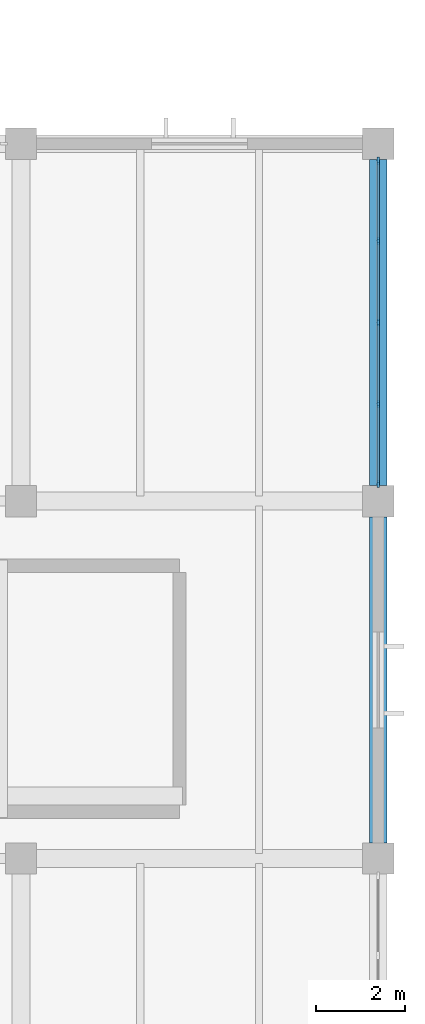
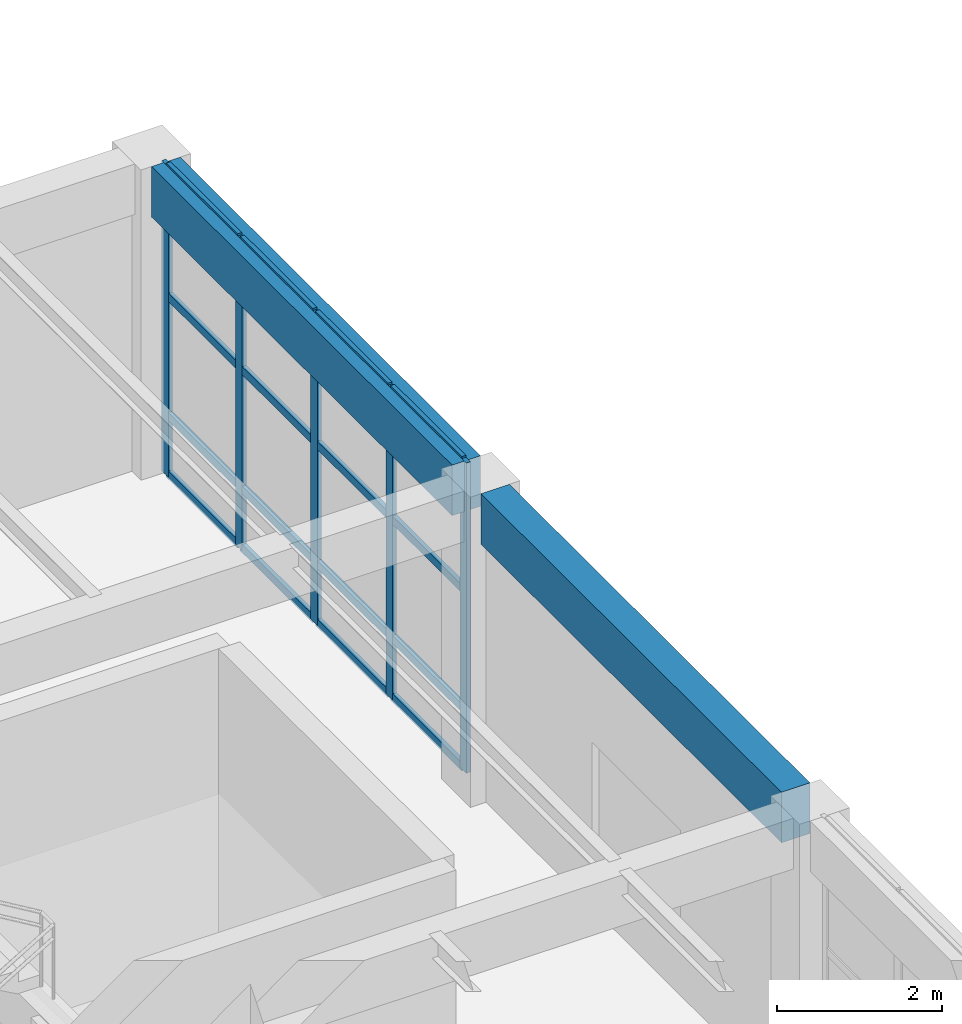
# One storey, part 31 of 60: 21 members, 2 beams, 1 element without a shape of its own.
"""IFC4 building model written with IfcOpenShell, lengths in metres."""

from ifc_helpers import new_model, si_unit, direction, frame, origin, origin_2d, place, context, subcontext, project, spatial, rectangle, extrude, material, layer, layer_set, material_profile, profile_set, type_object, element, aggregate, save


model = new_model("IFC4")

# Units and contexts
model_context = context("Model", 3, precision=1e-05, world=origin(), true_north=direction((0.0, 1.0)))
body_context = subcontext(model_context, "Body", "Model", "MODEL_VIEW")
ifc_project = project(units=[si_unit("LENGTHUNIT", "METRE"), si_unit("AREAUNIT", "SQUARE_METRE"), si_unit("VOLUMEUNIT", "CUBIC_METRE"), si_unit("PLANEANGLEUNIT", "RADIAN"), si_unit("MASSUNIT", "GRAM", prefix="KILO")], contexts=[model_context])

# Site, building, storey
site_placement = place(None, origin())
site = spatial("IfcSite", under=ifc_project, at=site_placement, CompositionType="ELEMENT")
building_placement = place(site_placement, origin())
building = spatial("IfcBuilding", under=site, at=building_placement, Name="Varnela Railside Interchange", CompositionType="ELEMENT")
storey_placement = place(building_placement, frame((0.0, 0.0, 6.300048828125)))
storey = spatial("IfcBuildingStorey", under=building, at=storey_placement, Name="L01", CompositionType="ELEMENT", Elevation=6.300048828125)

# Curtain wall, members
ifc_material_1 = material(Name="Aluminium 6063-T6", Category="aluminium")
ifc_layer = layer(ifc_material_1, 0.035888671875)
ifc_layer_set = layer_set([ifc_layer], Name="Aluminium 6063-T6")
curtain_wall_type = type_object("IfcCurtainWallType", Name="Study Pavilion Gallery Curtain Wall CW-02", PredefinedType="USERDEFINED", material=ifc_layer_set)
curtain_wall_placement = place(storey_placement, origin())
curtain_wall = element("IfcCurtainWall", 1, at=curtain_wall_placement, inside=storey, type_object=curtain_wall_type, Name="Curtain Wall CW-02 (L01) (CW-037)", ObjectType="CURTAIN WALL", PredefinedType="USERDEFINED")
ifc_material_profile_1 = material_profile(ifc_material_1, rectangle(XDim=0.06005859375, YDim=0.159912109375, at=origin_2d()), Name="ALU 60x160")
ifc_profile_set_1 = profile_set([ifc_material_profile_1], Name="Aluminium 6063-T6")
member_type_1 = type_object("IfcMemberType", Name="Curtain Wall Mullion ML-02", PredefinedType="MULLION", material=ifc_profile_set_1)
member_1_placement = place(storey_placement, frame((164.0, 61.6201171875, 0.0), z_axis=(0.0, 0.0, 1.0), x_axis=(1.0, 0.0, 0.0)))
member_1 = element("IfcMember", 2, at=member_1_placement, type_object=member_type_1, Name="CW-02 mullion 1", PredefinedType="MULLION", context=body_context, shape_type="SweptSolid", body=[
    extrude(rectangle(XDim=0.06005859375, YDim=0.159912109375, at=origin_2d()), origin(), (0.0, 0.0, 1.0), 4.599853515625),
])
member_2_placement = place(storey_placement, frame((164.0, 59.824951171875, 0.0), z_axis=(0.0, 0.0, 1.0), x_axis=(1.0, 0.0, 0.0)))
member_2 = element("IfcMember", 3, at=member_2_placement, type_object=member_type_1, Name="CW-02 mullion 2", PredefinedType="MULLION", context=body_context, shape_type="SweptSolid", body=[
    extrude(rectangle(XDim=0.06005859375, YDim=0.159912109375, at=origin_2d()), origin(), (0.0, 0.0, 1.0), 4.599853515625),
])
member_3_placement = place(storey_placement, frame((164.0, 58.0, 0.0), z_axis=(0.0, 0.0, 1.0), x_axis=(1.0, 0.0, 0.0)))
member_3 = element("IfcMember", 4, at=member_3_placement, type_object=member_type_1, Name="CW-02 mullion 3", PredefinedType="MULLION", context=body_context, shape_type="SweptSolid", body=[
    extrude(rectangle(XDim=0.06005859375, YDim=0.159912109375, at=origin_2d()), origin(), (0.0, 0.0, 1.0), 4.599853515625),
])
member_4_placement = place(storey_placement, frame((164.0, 56.175048828125, 0.0), z_axis=(0.0, 0.0, 1.0), x_axis=(1.0, 0.0, 0.0)))
member_4 = element("IfcMember", 5, at=member_4_placement, type_object=member_type_1, Name="CW-02 mullion 4", PredefinedType="MULLION", context=body_context, shape_type="SweptSolid", body=[
    extrude(rectangle(XDim=0.06005859375, YDim=0.159912109375, at=origin_2d()), origin(), (0.0, 0.0, 1.0), 4.599853515625),
])
member_5_placement = place(storey_placement, frame((164.0, 54.3798828125, 0.0), z_axis=(0.0, 0.0, 1.0), x_axis=(1.0, 0.0, 0.0)))
member_5 = element("IfcMember", 6, at=member_5_placement, type_object=member_type_1, Name="CW-02 mullion 5", PredefinedType="MULLION", context=body_context, shape_type="SweptSolid", body=[
    extrude(rectangle(XDim=0.06005859375, YDim=0.159912109375, at=origin_2d()), origin(), (0.0, 0.0, 1.0), 4.599853515625),
])
ifc_material_profile_2 = material_profile(ifc_material_1, rectangle(XDim=0.06005859375, YDim=0.1201171875, at=origin_2d()), Name="ALU 60x120")
ifc_profile_set_2 = profile_set([ifc_material_profile_2], Name="Aluminium 6063-T6")
member_type_2 = type_object("IfcMemberType", Name="Curtain Wall Transom TR-02", PredefinedType="USERDEFINED", material=ifc_profile_set_2)
member_6_placement = place(storey_placement, frame((164.0, 61.590087890625, 0.030029296875), z_axis=(0.0, -1.0, 0.0), x_axis=(1.0, 0.0, 0.0)))
member_6 = element("IfcMember", 7, at=member_6_placement, type_object=member_type_2, Name="CW-02 transom 1.1", ObjectType="TRANSOM", PredefinedType="USERDEFINED", context=body_context, shape_type="SweptSolid", body=[
    extrude(rectangle(XDim=0.06005859375, YDim=0.1201171875, at=origin_2d()), origin(), (0.0, 0.0, 1.0), 1.735107421875),
])
member_7_placement = place(storey_placement, frame((164.0, 61.590087890625, 0.89990234375), z_axis=(0.0, -1.0, 0.0), x_axis=(1.0, 0.0, 0.0)))
member_7 = element("IfcMember", 8, at=member_7_placement, type_object=member_type_2, Name="CW-02 transom 1.2", ObjectType="TRANSOM", PredefinedType="USERDEFINED", context=body_context, shape_type="SweptSolid", body=[
    extrude(rectangle(XDim=0.06005859375, YDim=0.1201171875, at=origin_2d()), origin(), (0.0, 0.0, 1.0), 1.735107421875),
])
member_8_placement = place(storey_placement, frame((164.0, 61.590087890625, 2.66796875), z_axis=(0.0, -1.0, 0.0), x_axis=(1.0, 0.0, 0.0)))
member_8 = element("IfcMember", 9, at=member_8_placement, type_object=member_type_2, Name="CW-02 transom 1.3", ObjectType="TRANSOM", PredefinedType="USERDEFINED", context=body_context, shape_type="SweptSolid", body=[
    extrude(rectangle(XDim=0.06005859375, YDim=0.1201171875, at=origin_2d()), origin(), (0.0, 0.0, 1.0), 1.735107421875),
])
member_9_placement = place(storey_placement, frame((164.0, 61.590087890625, 4.570068359375), z_axis=(0.0, -1.0, 0.0), x_axis=(1.0, 0.0, 0.0)))
member_9 = element("IfcMember", 10, at=member_9_placement, type_object=member_type_2, Name="CW-02 transom 1.4", ObjectType="TRANSOM", PredefinedType="USERDEFINED", context=body_context, shape_type="SweptSolid", body=[
    extrude(rectangle(XDim=0.06005859375, YDim=0.1201171875, at=origin_2d()), origin(), (0.0, 0.0, 1.0), 1.735107421875),
])
member_10_placement = place(storey_placement, frame((164.0, 59.794921875, 0.030029296875), z_axis=(0.0, -1.0, 0.0), x_axis=(1.0, 0.0, 0.0)))
member_10 = element("IfcMember", 11, at=member_10_placement, type_object=member_type_2, Name="CW-02 transom 2.1", ObjectType="TRANSOM", PredefinedType="USERDEFINED", context=body_context, shape_type="SweptSolid", body=[
    extrude(rectangle(XDim=0.06005859375, YDim=0.1201171875, at=origin_2d()), origin(), (0.0, 0.0, 1.0), 1.764892578125),
])
member_11_placement = place(storey_placement, frame((164.0, 59.794921875, 0.89990234375), z_axis=(0.0, -1.0, 0.0), x_axis=(1.0, 0.0, 0.0)))
member_11 = element("IfcMember", 12, at=member_11_placement, type_object=member_type_2, Name="CW-02 transom 2.2", ObjectType="TRANSOM", PredefinedType="USERDEFINED", context=body_context, shape_type="SweptSolid", body=[
    extrude(rectangle(XDim=0.06005859375, YDim=0.1201171875, at=origin_2d()), origin(), (0.0, 0.0, 1.0), 1.764892578125),
])
member_12_placement = place(storey_placement, frame((164.0, 59.794921875, 2.66796875), z_axis=(0.0, -1.0, 0.0), x_axis=(1.0, 0.0, 0.0)))
member_12 = element("IfcMember", 13, at=member_12_placement, type_object=member_type_2, Name="CW-02 transom 2.3", ObjectType="TRANSOM", PredefinedType="USERDEFINED", context=body_context, shape_type="SweptSolid", body=[
    extrude(rectangle(XDim=0.06005859375, YDim=0.1201171875, at=origin_2d()), origin(), (0.0, 0.0, 1.0), 1.764892578125),
])
member_13_placement = place(storey_placement, frame((164.0, 59.794921875, 4.570068359375), z_axis=(0.0, -1.0, 0.0), x_axis=(1.0, 0.0, 0.0)))
member_13 = element("IfcMember", 14, at=member_13_placement, type_object=member_type_2, Name="CW-02 transom 2.4", ObjectType="TRANSOM", PredefinedType="USERDEFINED", context=body_context, shape_type="SweptSolid", body=[
    extrude(rectangle(XDim=0.06005859375, YDim=0.1201171875, at=origin_2d()), origin(), (0.0, 0.0, 1.0), 1.764892578125),
])
member_14_placement = place(storey_placement, frame((164.0, 57.969970703125, 0.030029296875), z_axis=(0.0, -1.0, 0.0), x_axis=(1.0, 0.0, 0.0)))
member_14 = element("IfcMember", 15, at=member_14_placement, type_object=member_type_2, Name="CW-02 transom 3.1", ObjectType="TRANSOM", PredefinedType="USERDEFINED", context=body_context, shape_type="SweptSolid", body=[
    extrude(rectangle(XDim=0.06005859375, YDim=0.1201171875, at=origin_2d()), origin(), (0.0, 0.0, 1.0), 1.764892578125),
])
member_15_placement = place(storey_placement, frame((164.0, 57.969970703125, 0.89990234375), z_axis=(0.0, -1.0, 0.0), x_axis=(1.0, 0.0, 0.0)))
member_15 = element("IfcMember", 16, at=member_15_placement, type_object=member_type_2, Name="CW-02 transom 3.2", ObjectType="TRANSOM", PredefinedType="USERDEFINED", context=body_context, shape_type="SweptSolid", body=[
    extrude(rectangle(XDim=0.06005859375, YDim=0.1201171875, at=origin_2d()), origin(), (0.0, 0.0, 1.0), 1.764892578125),
])
member_16_placement = place(storey_placement, frame((164.0, 57.969970703125, 2.66796875), z_axis=(0.0, -1.0, 0.0), x_axis=(1.0, 0.0, 0.0)))
member_16 = element("IfcMember", 17, at=member_16_placement, type_object=member_type_2, Name="CW-02 transom 3.3", ObjectType="TRANSOM", PredefinedType="USERDEFINED", context=body_context, shape_type="SweptSolid", body=[
    extrude(rectangle(XDim=0.06005859375, YDim=0.1201171875, at=origin_2d()), origin(), (0.0, 0.0, 1.0), 1.764892578125),
])
member_17_placement = place(storey_placement, frame((164.0, 57.969970703125, 4.570068359375), z_axis=(0.0, -1.0, 0.0), x_axis=(1.0, 0.0, 0.0)))
member_17 = element("IfcMember", 18, at=member_17_placement, type_object=member_type_2, Name="CW-02 transom 3.4", ObjectType="TRANSOM", PredefinedType="USERDEFINED", context=body_context, shape_type="SweptSolid", body=[
    extrude(rectangle(XDim=0.06005859375, YDim=0.1201171875, at=origin_2d()), origin(), (0.0, 0.0, 1.0), 1.764892578125),
])
member_18_placement = place(storey_placement, frame((164.0, 56.14501953125, 0.030029296875), z_axis=(0.0, -1.0, 0.0), x_axis=(1.0, 0.0, 0.0)))
member_18 = element("IfcMember", 19, at=member_18_placement, type_object=member_type_2, Name="CW-02 transom 4.1", ObjectType="TRANSOM", PredefinedType="USERDEFINED", context=body_context, shape_type="SweptSolid", body=[
    extrude(rectangle(XDim=0.06005859375, YDim=0.1201171875, at=origin_2d()), origin(), (0.0, 0.0, 1.0), 1.735107421875),
])
member_19_placement = place(storey_placement, frame((164.0, 56.14501953125, 0.89990234375), z_axis=(0.0, -1.0, 0.0), x_axis=(1.0, 0.0, 0.0)))
member_19 = element("IfcMember", 20, at=member_19_placement, type_object=member_type_2, Name="CW-02 transom 4.2", ObjectType="TRANSOM", PredefinedType="USERDEFINED", context=body_context, shape_type="SweptSolid", body=[
    extrude(rectangle(XDim=0.06005859375, YDim=0.1201171875, at=origin_2d()), origin(), (0.0, 0.0, 1.0), 1.735107421875),
])
member_20_placement = place(storey_placement, frame((164.0, 56.14501953125, 2.66796875), z_axis=(0.0, -1.0, 0.0), x_axis=(1.0, 0.0, 0.0)))
member_20 = element("IfcMember", 21, at=member_20_placement, type_object=member_type_2, Name="CW-02 transom 4.3", ObjectType="TRANSOM", PredefinedType="USERDEFINED", context=body_context, shape_type="SweptSolid", body=[
    extrude(rectangle(XDim=0.06005859375, YDim=0.1201171875, at=origin_2d()), origin(), (0.0, 0.0, 1.0), 1.735107421875),
])
member_21_placement = place(storey_placement, frame((164.0, 56.14501953125, 4.570068359375), z_axis=(0.0, -1.0, 0.0), x_axis=(1.0, 0.0, 0.0)))
member_21 = element("IfcMember", 22, at=member_21_placement, type_object=member_type_2, Name="CW-02 transom 4.4", ObjectType="TRANSOM", PredefinedType="USERDEFINED", context=body_context, shape_type="SweptSolid", body=[
    extrude(rectangle(XDim=0.06005859375, YDim=0.1201171875, at=origin_2d()), origin(), (0.0, 0.0, 1.0), 1.735107421875),
])
aggregate(curtain_wall, [member_1, member_2, member_3, member_4, member_5, member_6, member_7, member_8, member_9, member_10, member_11, member_12, member_13, member_14, member_15, member_16, member_17, member_18, member_19, member_20, member_21])

# Beams
ifc_material_2 = material(Name="Concrete C40 precast", Category="concrete")
ifc_material_profile_3 = material_profile(ifc_material_2, rectangle(XDim=0.39990234375, YDim=0.75, at=origin_2d()), Name="PC 400x750")
ifc_profile_set_3 = profile_set([ifc_material_profile_3], Name="Concrete C40 precast")
beam_type = type_object("IfcBeamType", Name="Precast Facade Spandrel SP-03", PredefinedType="SPANDREL", material=ifc_profile_set_3)
for number, where, z_axis, x_axis, name in (
    (23, (164.0, 46.35009765625, 4.224853515625), (0.0, 1.0, 0.0), (-1.0, 0.0, 0.0), "Precast Facade Spandrel SP-03 (L01) (BM-1748)"),
    (24, (164.0, 54.35009765625, 4.224853515625), (0.0, 1.0, 0.0), (-1.0, 0.0, 0.0), "Precast Facade Spandrel SP-03 (L01) (BM-1749)"),
):
    element("IfcBeam", number, at=place(storey_placement, frame(where, z_axis=z_axis, x_axis=x_axis)), inside=storey, type_object=beam_type, Name=name, PredefinedType="SPANDREL", context=body_context, shape_type="SweptSolid", body=[
        extrude(rectangle(XDim=0.39990234375, YDim=0.75, at=origin_2d()), origin(), (0.0, 0.0, 1.0), 7.2998046875),
    ])

save(model, "model.ifc")
